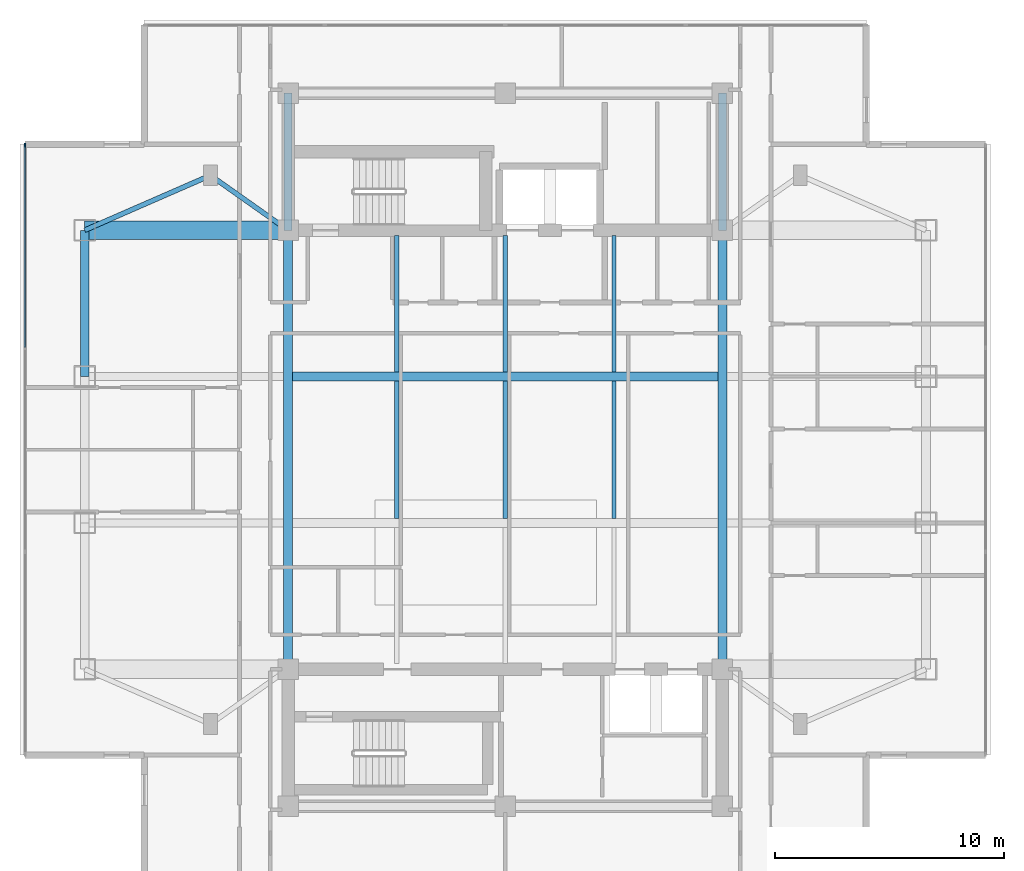
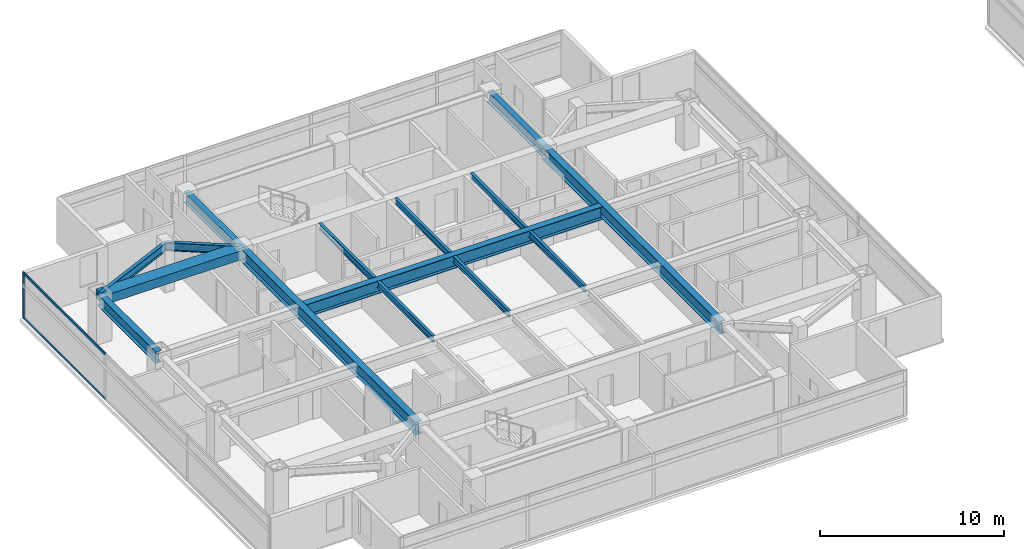
# One storey, part 3 of 26: 15 beams, 3 members, 1 element without a shape of its own.
"""IFC4 building model written with IfcOpenShell, lengths in metres."""

from ifc_helpers import new_model, si_unit, direction, frame, origin, origin_2d, place, context, subcontext, project, spatial, rectangle, i_section, extrude, material, material_profile, profile_set, type_object, element, aggregate, save


model = new_model("IFC4")

# Units and contexts
model_context = context("Model", 3, precision=1e-05, world=origin(), true_north=direction((0.0, 1.0)))
body_context = subcontext(model_context, "Body", "Model", "MODEL_VIEW")
ifc_project = project(units=[si_unit("LENGTHUNIT", "METRE"), si_unit("AREAUNIT", "SQUARE_METRE"), si_unit("VOLUMEUNIT", "CUBIC_METRE"), si_unit("PLANEANGLEUNIT", "RADIAN"), si_unit("MASSUNIT", "GRAM", prefix="KILO")], contexts=[model_context])

# Site, building, storey
site_placement = place(None, origin())
site = spatial("IfcSite", under=ifc_project, at=site_placement, CompositionType="ELEMENT")
building_placement = place(site_placement, origin())
building = spatial("IfcBuilding", under=site, at=building_placement, Name="Mirazonda Arch Towers", CompositionType="ELEMENT")
storey_placement = place(building_placement, frame((0.0, 0.0, 203.14990234375)))
storey = spatial("IfcBuildingStorey", under=building, at=storey_placement, Name="L58", CompositionType="ELEMENT", Elevation=203.14990234375)

# Beams
ifc_material_1 = material(Name="Steel ASTM A992 Grade 50", Category="steel")
ifc_material_profile_1 = material_profile(ifc_material_1, i_section(OverallWidth=0.381103515625, OverallDepth=0.77294921875, WebThickness=0.0166015625, FlangeThickness=0.027099609375, at=origin_2d()), Name="W30X173")
ifc_profile_set_1 = profile_set([ifc_material_profile_1], Name="Steel ASTM A992 Grade 50")
beam_type_1 = type_object("IfcBeamType", Name="BM-EXT-W30X173", PredefinedType="USERDEFINED", material=ifc_profile_set_1)
beam_1_placement = place(storey_placement, frame((2.10009765625, 31.199951171875, 2.66357421875), z_axis=(0.0, 1.0, 0.0), x_axis=(-1.0, 0.0, 0.0)))
element("IfcBeam", 1, at=beam_1_placement, inside=storey, type_object=beam_type_1, Name="L58 Floor Beam BM-T1-L58-NS-W-31", ObjectType="GIRDER", PredefinedType="USERDEFINED", context=body_context, shape_type="SweptSolid", body=[
    extrude(i_section(OverallWidth=0.381103515625, OverallDepth=0.77294921875, WebThickness=0.0166015625, FlangeThickness=0.027099609375, at=origin_2d()), origin(), (0.0, 0.0, 1.0), 6.400146484375),
])
ifc_material_profile_2 = material_profile(ifc_material_1, i_section(OverallWidth=0.180908203125, OverallDepth=0.4169921875, WebThickness=0.010986328125, FlangeThickness=0.018310546875, at=origin_2d()), Name="W16X57")
ifc_profile_set_2 = profile_set([ifc_material_profile_2], Name="Steel ASTM A992 Grade 50")
beam_type_2 = type_object("IfcBeamType", Name="BM-INT-W16X57", PredefinedType="JOIST", material=ifc_profile_set_2)
beam_2_placement = place(storey_placement, frame((15.75, 31.39599609375, 2.841552734375), z_axis=(0.0, 1.0, 0.0), x_axis=(-1.0, 0.0, 0.0)))
element("IfcBeam", 2, at=beam_2_placement, inside=storey, type_object=beam_type_2, Name="L58 Floor Beam BM-T1-L58-J-157-31", PredefinedType="JOIST", context=body_context, shape_type="SweptSolid", body=[
    extrude(i_section(OverallWidth=0.180908203125, OverallDepth=0.4169921875, WebThickness=0.010986328125, FlangeThickness=0.018310546875, at=origin_2d()), origin(), (0.0, 0.0, 1.0), 5.964111328125),
])
beam_3_placement = place(storey_placement, frame((15.75, 24.99609375, 2.841552734375), z_axis=(0.0, 1.0, 0.0), x_axis=(-1.0, 0.0, 0.0)))
element("IfcBeam", 3, at=beam_3_placement, inside=storey, type_object=beam_type_2, Name="L58 Floor Beam BM-T1-L58-J-157-24", PredefinedType="JOIST", context=body_context, shape_type="SweptSolid", body=[
    extrude(i_section(OverallWidth=0.180908203125, OverallDepth=0.4169921875, WebThickness=0.010986328125, FlangeThickness=0.018310546875, at=origin_2d()), origin(), (0.0, 0.0, 1.0), 6.0078125),
])
beam_4_placement = place(storey_placement, frame((20.5, 31.39599609375, 2.841552734375), z_axis=(0.0, 1.0, 0.0), x_axis=(-1.0, 0.0, 0.0)))
element("IfcBeam", 4, at=beam_4_placement, inside=storey, type_object=beam_type_2, Name="L58 Floor Beam BM-T1-L58-J-205-31", PredefinedType="JOIST", context=body_context, shape_type="SweptSolid", body=[
    extrude(i_section(OverallWidth=0.180908203125, OverallDepth=0.4169921875, WebThickness=0.010986328125, FlangeThickness=0.018310546875, at=origin_2d()), origin(), (0.0, 0.0, 1.0), 5.964111328125),
])
beam_5_placement = place(storey_placement, frame((20.5, 24.99609375, 2.841552734375), z_axis=(0.0, 1.0, 0.0), x_axis=(-1.0, 0.0, 0.0)))
element("IfcBeam", 5, at=beam_5_placement, inside=storey, type_object=beam_type_2, Name="L58 Floor Beam BM-T1-L58-J-205-24", PredefinedType="JOIST", context=body_context, shape_type="SweptSolid", body=[
    extrude(i_section(OverallWidth=0.180908203125, OverallDepth=0.4169921875, WebThickness=0.010986328125, FlangeThickness=0.018310546875, at=origin_2d()), origin(), (0.0, 0.0, 1.0), 6.0078125),
])
beam_6_placement = place(storey_placement, frame((25.25, 31.39599609375, 2.841552734375), z_axis=(0.0, 1.0, 0.0), x_axis=(-1.0, 0.0, 0.0)))
element("IfcBeam", 6, at=beam_6_placement, inside=storey, type_object=beam_type_2, Name="L58 Floor Beam BM-T1-L58-J-252-31", PredefinedType="JOIST", context=body_context, shape_type="SweptSolid", body=[
    extrude(i_section(OverallWidth=0.180908203125, OverallDepth=0.4169921875, WebThickness=0.010986328125, FlangeThickness=0.018310546875, at=origin_2d()), origin(), (0.0, 0.0, 1.0), 5.964111328125),
])
beam_7_placement = place(storey_placement, frame((25.25, 24.99609375, 2.841552734375), z_axis=(0.0, 1.0, 0.0), x_axis=(-1.0, 0.0, 0.0)))
element("IfcBeam", 7, at=beam_7_placement, inside=storey, type_object=beam_type_2, Name="L58 Floor Beam BM-T1-L58-J-252-24", PredefinedType="JOIST", context=body_context, shape_type="SweptSolid", body=[
    extrude(i_section(OverallWidth=0.180908203125, OverallDepth=0.4169921875, WebThickness=0.010986328125, FlangeThickness=0.018310546875, at=origin_2d()), origin(), (0.0, 0.0, 1.0), 6.0078125),
])
ifc_material_profile_3 = material_profile(ifc_material_1, i_section(OverallWidth=0.214111328125, OverallDepth=0.549072265625, WebThickness=0.0146484375, FlangeThickness=0.023681640625, at=origin_2d()), Name="W21X93")
ifc_profile_set_3 = profile_set([ifc_material_profile_3], Name="Steel ASTM A992 Grade 50")
beam_type_3 = type_object("IfcBeamType", Name="BM-INT-W21X93", PredefinedType="BEAM", material=ifc_profile_set_3)
beam_8_placement = place(storey_placement, frame((7.60009765625, 40.0, 2.775634765625), z_axis=(0.816971114901, -0.576678591087, 0.0), x_axis=(0.576678591087, 0.816971114901, 0.0)))
element("IfcBeam", 8, at=beam_8_placement, inside=storey, type_object=beam_type_3, Name="L58 Floor Beam BM-T1-L58-PL-NW1", PredefinedType="BEAM", context=body_context, shape_type="SweptSolid", body=[
    extrude(i_section(OverallWidth=0.214111328125, OverallDepth=0.549072265625, WebThickness=0.0146484375, FlangeThickness=0.023681640625, at=origin_2d()), origin(), (0.0, 0.0, 1.0), 4.16162109375),
])
beam_9_placement = place(storey_placement, frame((7.60009765625, 40.0, 2.775634765625), z_axis=(-0.916545343703, -0.399930785183, 0.0), x_axis=(0.399930785183, -0.916545343703, 0.0)))
element("IfcBeam", 9, at=beam_9_placement, inside=storey, type_object=beam_type_3, Name="L58 Floor Beam BM-T1-L58-PL-NW2", PredefinedType="BEAM", context=body_context, shape_type="SweptSolid", body=[
    extrude(i_section(OverallWidth=0.214111328125, OverallDepth=0.549072265625, WebThickness=0.0146484375, FlangeThickness=0.023681640625, at=origin_2d()), origin(), (0.0, 0.0, 1.0), 6.000732421875),
])
ifc_material_profile_4 = material_profile(ifc_material_1, i_section(OverallWidth=0.35498046875, OverallDepth=0.696044921875, WebThickness=0.015380859375, FlangeThickness=0.02490234375, at=origin_2d()), Name="W27X146")
ifc_profile_set_4 = profile_set([ifc_material_profile_4], Name="Steel ASTM A992 Grade 50")
beam_type_4 = type_object("IfcBeamType", Name="BM-INT-W27X146", PredefinedType="BEAM", material=ifc_profile_set_4)
for number, where, z_axis, x_axis, name in (
    (10, (11.0, 37.60009765625, 2.7021484375), (0.0, 1.0, 0.0), (-1.0, 0.0, 0.0), "L58 Floor Beam BM-T1-L58-CNW"),
    (11, (30.0, 37.60009765625, 2.7021484375), (0.0, 1.0, 0.0), (-1.0, 0.0, 0.0), "L58 Floor Beam BM-T1-L58-CNE"),
):
    element("IfcBeam", number, at=place(storey_placement, frame(where, z_axis=z_axis, x_axis=x_axis)), inside=storey, type_object=beam_type_4, Name=name, PredefinedType="BEAM", context=body_context, shape_type="SweptSolid", body=[
        extrude(i_section(OverallWidth=0.35498046875, OverallDepth=0.696044921875, WebThickness=0.015380859375, FlangeThickness=0.02490234375, at=origin_2d()), origin(), (0.0, 0.0, 1.0), 6.0),
    ])
ifc_material_profile_5 = material_profile(ifc_material_1, i_section(OverallWidth=0.39990234375, OverallDepth=0.85595703125, WebThickness=0.018310546875, FlangeThickness=0.029296875, at=origin_2d()), Name="W33X201")
ifc_profile_set_5 = profile_set([ifc_material_profile_5], Name="Steel ASTM A992 Grade 50")
beam_type_5 = type_object("IfcBeamType", Name="BM-INT-W33X201", PredefinedType="USERDEFINED", material=ifc_profile_set_5)
beam_10_placement = place(storey_placement, frame((11.199951171875, 31.199951171875, 2.6220703125), z_axis=(1.0, 0.0, 0.0), x_axis=(0.0, 1.0, 0.0)))
element("IfcBeam", 12, at=beam_10_placement, inside=storey, type_object=beam_type_5, Name="L58 Floor Beam BM-T1-L58-GC3", ObjectType="GIRDER", PredefinedType="USERDEFINED", context=body_context, shape_type="SweptSolid", body=[
    extrude(i_section(OverallWidth=0.39990234375, OverallDepth=0.85595703125, WebThickness=0.018310546875, FlangeThickness=0.029296875, at=origin_2d()), origin(), (0.0, 0.0, 1.0), 18.60009765625),
])
for number, where, z_axis, x_axis, name in (
    (13, (11.0, 18.39990234375, 2.6220703125), (0.0, 1.0, 0.0), (-1.0, 0.0, 0.0), "L58 Floor Beam BM-T1-L58-NS-CW-FULL"),
    (14, (30.0, 18.39990234375, 2.6220703125), (0.0, 1.0, 0.0), (-1.0, 0.0, 0.0), "L58 Floor Beam BM-T1-L58-NS-CE-FULL"),
):
    element("IfcBeam", number, at=place(storey_placement, frame(where, z_axis=z_axis, x_axis=x_axis)), inside=storey, type_object=beam_type_5, Name=name, ObjectType="GIRDER", PredefinedType="USERDEFINED", context=body_context, shape_type="SweptSolid", body=[
        extrude(i_section(OverallWidth=0.39990234375, OverallDepth=0.85595703125, WebThickness=0.018310546875, FlangeThickness=0.029296875, at=origin_2d()), origin(), (0.0, 0.0, 1.0), 19.2001953125),
    ])
ifc_material_2 = material(Name="Concrete C60/75", Category="concrete")
ifc_material_profile_6 = material_profile(ifc_material_2, rectangle(XDim=0.800048828125, YDim=0.60009765625, at=origin_2d()), Name="RCCB800x600")
ifc_profile_set_6 = profile_set([ifc_material_profile_6], Name="Concrete C60/75")
beam_type_6 = type_object("IfcBeamType", Name="CB-INT-RCCB800x600", PredefinedType="SPANDREL", material=ifc_profile_set_6)
beam_11_placement = place(storey_placement, frame((2.10009765625, 37.60009765625, 2.75), z_axis=(1.0, 0.0, 0.0), x_axis=(0.0, 1.0, 0.0)))
element("IfcBeam", 15, at=beam_11_placement, inside=storey, type_object=beam_type_6, Name="L58 Floor Beam CBC-T1-L58-NW", PredefinedType="SPANDREL", context=body_context, shape_type="SweptSolid", body=[
    extrude(rectangle(XDim=0.800048828125, YDim=0.60009765625, at=origin_2d()), origin(), (0.0, 0.0, 1.0), 8.89990234375),
])

# Curtain wall, members
ifc_material_3 = material(Name="Anodised Aluminium and Low-E Glass", Category="aluminium")
curtain_wall_type = type_object("IfcCurtainWallType", Name="CW-RES-UNIT", PredefinedType="NOTDEFINED", material=ifc_material_3)
curtain_wall_placement = place(storey_placement, origin())
curtain_wall = element("IfcCurtainWall", 16, at=curtain_wall_placement, inside=storey, type_object=curtain_wall_type, Name="L58 T1 W Facade CW-L58-T1-W", PredefinedType="NOTDEFINED")
ifc_material_4 = material(Name="Anodised Aluminium Alloy", Category="aluminium")
ifc_material_profile_7 = material_profile(ifc_material_4, rectangle(XDim=0.074951171875, YDim=0.175048828125, at=origin_2d()), Name="ALU-MULL-75x175")
ifc_profile_set_7 = profile_set([ifc_material_profile_7], Name="Anodised Aluminium Alloy")
member_type_1 = type_object("IfcMemberType", Name="MULL-CW-RES-UNIT", PredefinedType="MULLION", material=ifc_profile_set_7)
member_1_placement = place(storey_placement, frame((-0.510009765625, 41.325439453125, 0.0), z_axis=(0.0, 0.0, 1.0), x_axis=(1.0, 0.0, 0.0)))
member_1 = element("IfcMember", 17, at=member_1_placement, type_object=member_type_1, Name="CW-104 mullion 1", PredefinedType="MULLION", context=body_context, shape_type="SweptSolid", body=[
    extrude(rectangle(XDim=0.074951171875, YDim=0.175048828125, at=origin_2d()), origin(), (0.0, 0.0, 1.0), 3.030029296875),
])
ifc_material_profile_8 = material_profile(ifc_material_4, rectangle(XDim=0.074951171875, YDim=0.155029296875, at=origin_2d()), Name="ALU-TRAN-75x155")
ifc_profile_set_8 = profile_set([ifc_material_profile_8], Name="Anodised Aluminium Alloy")
member_type_2 = type_object("IfcMemberType", Name="TRAN-CW-RES-UNIT", PredefinedType="USERDEFINED", material=ifc_profile_set_8)
member_2_placement = place(storey_placement, frame((-0.510009765625, 41.2880859375, 0.03759765625), z_axis=(0.0, -1.0, 0.0), x_axis=(1.0, 0.0, 0.0)))
member_2 = element("IfcMember", 18, at=member_2_placement, type_object=member_type_2, Name="CW-104 transom 1.1", ObjectType="TRANSOM", PredefinedType="USERDEFINED", context=body_context, shape_type="SweptSolid", body=[
    extrude(rectangle(XDim=0.074951171875, YDim=0.155029296875, at=origin_2d()), origin(), (0.0, 0.0, 1.0), 8.796142578125),
])
member_3_placement = place(storey_placement, frame((-0.510009765625, 41.2880859375, 2.99267578125), z_axis=(0.0, -1.0, 0.0), x_axis=(1.0, 0.0, 0.0)))
member_3 = element("IfcMember", 19, at=member_3_placement, type_object=member_type_2, Name="CW-104 transom 1.2", ObjectType="TRANSOM", PredefinedType="USERDEFINED", context=body_context, shape_type="SweptSolid", body=[
    extrude(rectangle(XDim=0.074951171875, YDim=0.155029296875, at=origin_2d()), origin(), (0.0, 0.0, 1.0), 8.796142578125),
])
aggregate(curtain_wall, [member_1, member_2, member_3])

save(model, "model.ifc")
